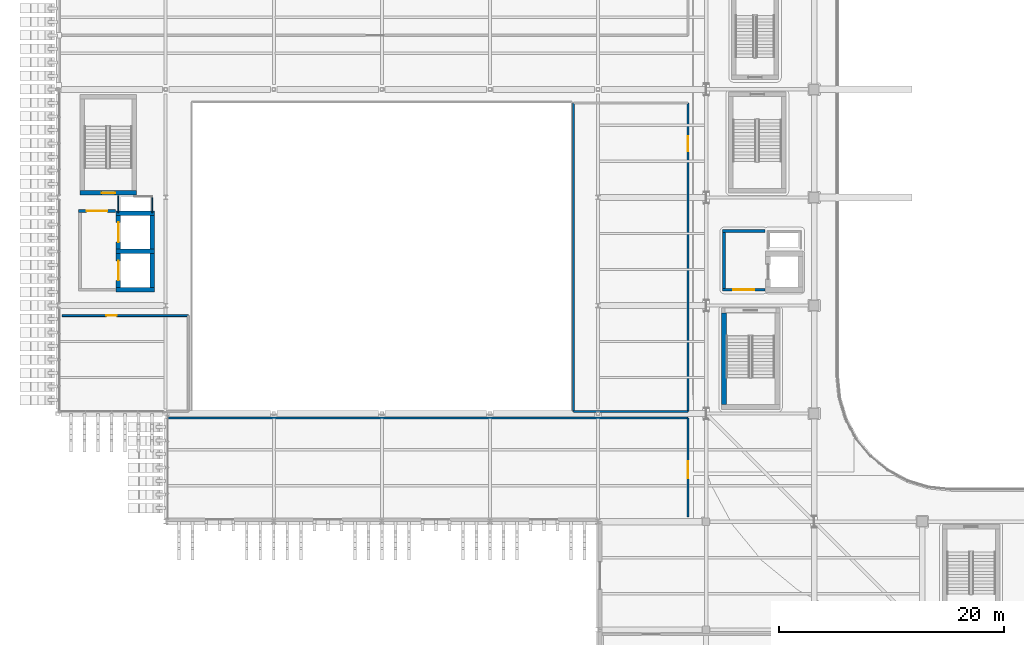
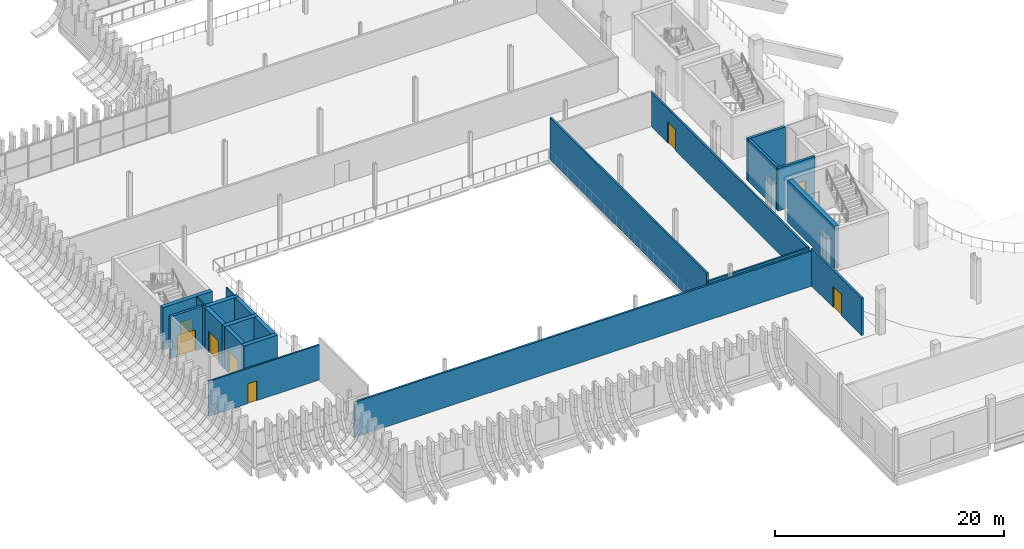
# One storey, part 49 of 100: 21 walls, 8 doors, 8 openings.
"""IFC4 building model written with IfcOpenShell, lengths in metres."""

from ifc_helpers import new_model, si_unit, direction, frame, frame_2d, origin, place, context, subcontext, project, spatial, rectangle, extrude, material, layer, layer_set, type_object, element, fill, save


model = new_model("IFC4")

# Units and contexts
model_context = context("Model", 3, precision=1e-05, world=origin(), true_north=direction((0.0, 1.0)))
body_context = subcontext(model_context, "Body", "Model", "MODEL_VIEW")
ifc_project = project(units=[si_unit("LENGTHUNIT", "METRE"), si_unit("AREAUNIT", "SQUARE_METRE"), si_unit("VOLUMEUNIT", "CUBIC_METRE"), si_unit("PLANEANGLEUNIT", "RADIAN"), si_unit("MASSUNIT", "GRAM", prefix="KILO")], contexts=[model_context])

# Site, building, storey
site_placement = place(None, origin())
site = spatial("IfcSite", under=ifc_project, at=site_placement, CompositionType="ELEMENT")
building_placement = place(site_placement, origin())
building = spatial("IfcBuilding", under=site, at=building_placement, Name="Caelomonte Colonnade Arena", CompositionType="ELEMENT")
storey_placement = place(building_placement, origin())
storey = spatial("IfcBuildingStorey", under=building, at=storey_placement, Name="L00", CompositionType="ELEMENT", Elevation=0.0)

# Wall, opening, door
ifc_material_1 = material(Name="Concrete C40/50", Category="concrete")
ifc_layer_1 = layer(ifc_material_1, 0.260009765625)
ifc_layer_set_1 = layer_set([ifc_layer_1], Name="Concrete C40/50")
wall_type_1 = type_object("IfcWallType", Name="INT-WL-FW26", PredefinedType="SOLIDWALL", material=ifc_layer_set_1)
wall_1_placement = place(storey_placement, frame((59.070068359375, 49.39990234375, 0.0), z_axis=(0.0, 0.0, 1.0), x_axis=(1.0, 0.0, 0.0)))
wall_1 = element("IfcWall", 1, at=wall_1_placement, inside=storey, type_object=wall_type_1, Name="FW-C1-LB L00 south enclosure wall", PredefinedType="SOLIDWALL", context=body_context, shape_type="SweptSolid", body=[
    extrude(rectangle(XDim=3.760009765625, YDim=0.260009765625, at=frame_2d((1.8798828125, 0.0))), origin(), (0.0, 0.0, 1.0), 4.5),
])
opening_1_placement = place(wall_1_placement, frame((2.80517578125, 0.0, 0.0), z_axis=(0.0, 0.0, 1.0), x_axis=(-1.0, 0.0, 0.0)))
opening_1 = element("IfcOpeningElement", 2, at=opening_1_placement, cuts=wall_1, Name="Opening FD-2", PredefinedType="OPENING", context=body_context, shape_type="SweptSolid", body=[
    extrude(rectangle(XDim=1.85009765625, YDim=2.25, at=frame_2d((0.925048828125, 1.125))), frame((0.0, 0.139892578125, 0.0), z_axis=(0.0, -1.0, 0.0), x_axis=(1.0, 0.0, 0.0)), (0.0, 0.0, 1.0), 0.280029296875),
])
ifc_material_2 = material(Name="Fire-rated double steel door", Category="steel")
door_type_1 = type_object("IfcDoorType", Name="INT-DR-FD90B", OperationType="DOUBLE_DOOR_SINGLE_SWING", PredefinedType="DOOR", material=ifc_material_2)
door_1_placement = place(opening_1_placement, origin())
door_1 = element("IfcDoor", 3, at=door_1_placement, inside=storey, type_object=door_type_1, Name="Core C1 L00 lobby fire door", OperationType="DOUBLE_DOOR_SINGLE_SWING", OverallHeight=2.25, OverallWidth=1.85009765625, PredefinedType="DOOR", context=body_context, shape_type="SweptSolid", body=[
    extrude(rectangle(XDim=1.85009765625, YDim=2.25, at=frame_2d((0.925048828125, 1.125))), frame((0.0, 0.02490234375, 0.0), z_axis=(0.0, -1.0, 0.0), x_axis=(1.0, 0.0, 0.0)), (0.0, 0.0, 1.0), 0.050048828125),
])
fill(opening_1, door_1)

# Walls
wall_2_placement = place(storey_placement, frame((62.830078125, 54.60009765625, 0.0), z_axis=(0.0, 0.0, 1.0), x_axis=(-1.0, 0.0, 0.0)))
element("IfcWall", 4, at=wall_2_placement, inside=storey, type_object=wall_type_1, Name="FW-C1-LB L00 north enclosure wall", PredefinedType="SOLIDWALL", context=body_context, shape_type="SweptSolid", body=[
    extrude(rectangle(XDim=3.760009765625, YDim=0.260009765625, at=frame_2d((1.8798828125, 0.0))), origin(), (0.0, 0.0, 1.0), 4.5),
])
wall_3_placement = place(storey_placement, frame((59.199951171875, 54.469970703125, 0.0), z_axis=(0.0, 0.0, 1.0), x_axis=(0.0, -1.0, 0.0)))
element("IfcWall", 5, at=wall_3_placement, inside=storey, type_object=wall_type_1, Name="FW-C1-LB L00 west enclosure wall", PredefinedType="SOLIDWALL", context=body_context, shape_type="SweptSolid", body=[
    extrude(rectangle(XDim=4.93994140625, YDim=0.260009765625, at=frame_2d((2.469970703125, 0.0))), origin(), (0.0, 0.0, 1.0), 4.5),
])

# Wall, opening, door
wall_4_placement = place(storey_placement, frame((5.1298828125, 56.39990234375, 0.0), z_axis=(0.0, 0.0, 1.0), x_axis=(-1.0, 0.0, 0.0)))
wall_4 = element("IfcWall", 6, at=wall_4_placement, inside=storey, type_object=wall_type_1, Name="FW-C8-LB L00 north enclosure wall", PredefinedType="SOLIDWALL", context=body_context, shape_type="SweptSolid", body=[
    extrude(rectangle(XDim=3.259765625, YDim=0.260009765625, at=frame_2d((1.6298828125, 0.0))), origin(), (0.0, 0.0, 1.0), 4.5),
])
opening_2_placement = place(wall_4_placement, frame((2.55517578125, 0.0, 0.0), z_axis=(0.0, 0.0, 1.0), x_axis=(-1.0, 0.0, 0.0)))
opening_2 = element("IfcOpeningElement", 7, at=opening_2_placement, cuts=wall_4, Name="Opening FD-2", PredefinedType="OPENING", context=body_context, shape_type="SweptSolid", body=[
    extrude(rectangle(XDim=1.85009765625, YDim=2.25, at=frame_2d((0.925048828125, 1.125))), frame((0.0, 0.139892578125, 0.0), z_axis=(0.0, -1.0, 0.0), x_axis=(1.0, 0.0, 0.0)), (0.0, 0.0, 1.0), 0.280029296875),
])
door_2_placement = place(opening_2_placement, origin())
door_2 = element("IfcDoor", 8, at=door_2_placement, inside=storey, type_object=door_type_1, Name="Core C8 L00 lobby fire door", OperationType="DOUBLE_DOOR_SINGLE_SWING", OverallHeight=2.25, OverallWidth=1.85009765625, PredefinedType="DOOR", context=body_context, shape_type="SweptSolid", body=[
    extrude(rectangle(XDim=1.85009765625, YDim=2.25, at=frame_2d((0.925048828125, 1.125))), frame((0.0, 0.02490234375, 0.0), z_axis=(0.0, -1.0, 0.0), x_axis=(1.0, 0.0, 0.0)), (0.0, 0.0, 1.0), 0.050048828125),
])
fill(opening_2, door_2)

# Walls
ifc_material_3 = material(Name="Service shaft lining partition")
ifc_layer_2 = layer(ifc_material_3, 0.10009765625)
ifc_layer_set_2 = layer_set([ifc_layer_2], Name="Service shaft lining partition")
wall_type_2 = type_object("IfcWallType", Name="INT-WL-PT10", PredefinedType="PARTITIONING", material=ifc_layer_set_2)
for number, where, z_axis, x_axis, name in (
    (9, (5.39990234375, 57.75, 0.0), (0.0, 0.0, 1.0), (0.0, -1.0, 0.0), "FW-C8-RS L00 west enclosure wall"),
    (10, (8.39990234375, 56.25, 0.0), (0.0, 0.0, 1.0), (0.0, 1.0, 0.0), "FW-C8-RS L00 east enclosure wall"),
):
    element("IfcWall", number, at=place(storey_placement, frame(where, z_axis=z_axis, x_axis=x_axis)), inside=storey, type_object=wall_type_2, Name=name, PredefinedType="PARTITIONING", context=body_context, shape_type="SweptSolid", body=[
        extrude(rectangle(XDim=1.5, YDim=0.10009765625, at=frame_2d((0.75, 0.0))), origin(), (0.0, 0.0, 1.0), 4.5),
    ])

# Wall, opening, door
ifc_material_4 = material(Name="Moisture-resistant WC partition")
ifc_layer_3 = layer(ifc_material_4, 0.159912109375)
ifc_layer_set_3 = layer_set([ifc_layer_3], Name="Moisture-resistant WC partition")
wall_type_3 = type_object("IfcWallType", Name="INT-WL-PT16", PredefinedType="PARTITIONING", material=ifc_layer_set_3)
wall_5_placement = place(storey_placement, frame((0.39990234375, 47.10009765625, 0.0), z_axis=(0.0, 0.0, 1.0), x_axis=(1.0, 0.0, 0.0)))
wall_5 = element("IfcWall", 11, at=wall_5_placement, inside=storey, type_object=wall_type_3, Name="L00 Practice Wing Restroom partition 111", PredefinedType="PARTITIONING", context=body_context, shape_type="SweptSolid", body=[
    extrude(rectangle(XDim=11.2001953125, YDim=0.159912109375, at=frame_2d((5.60009765625, 0.0))), origin(), (0.0, 0.0, 1.0), 3.738037109375),
])
opening_3_placement = place(wall_5_placement, frame((3.93994140625, 0.0, 0.0), z_axis=(0.0, 0.0, 1.0), x_axis=(1.0, 0.0, 0.0)))
opening_3 = element("IfcOpeningElement", 12, at=opening_3_placement, cuts=wall_5, Name="Opening D-L00-036", PredefinedType="OPENING", context=body_context, shape_type="SweptSolid", body=[
    extrude(rectangle(XDim=0.919921875, YDim=2.1201171875, at=frame_2d((0.4599609375, 1.06005859375))), frame((0.0, 0.08984375, 0.0), z_axis=(0.0, -1.0, 0.0), x_axis=(1.0, 0.0, 0.0)), (0.0, 0.0, 1.0), 0.179931640625),
])
ifc_material_5 = material(Name="Laminate restroom entrance door")
door_type_2 = type_object("IfcDoorType", Name="INT-DR-WC1", OperationType="NOTDEFINED", PredefinedType="DOOR", material=ifc_material_5)
door_3_placement = place(opening_3_placement, origin())
door_3 = element("IfcDoor", 13, at=door_3_placement, inside=storey, type_object=door_type_2, Name="L00 Practice Wing Restroom door D-L00-036", OperationType="SINGLE_SWING_RIGHT", OverallHeight=2.1201171875, OverallWidth=0.919921875, PredefinedType="DOOR", context=body_context, shape_type="SweptSolid", body=[
    extrude(rectangle(XDim=0.919921875, YDim=2.1201171875, at=frame_2d((0.4599609375, 1.06005859375))), frame((0.0, 0.02490234375, 0.0), z_axis=(0.0, -1.0, 0.0), x_axis=(1.0, 0.0, 0.0)), (0.0, 0.0, 1.0), 0.050048828125),
])
fill(opening_3, door_3)

ifc_material_6 = material(Name="Acoustic gypsum stud partition")
ifc_layer_4 = layer(ifc_material_6, 0.179931640625)
ifc_layer_set_4 = layer_set([ifc_layer_4], Name="Acoustic gypsum stud partition")
wall_type_4 = type_object("IfcWallType", Name="INT-WL-PT18", PredefinedType="PARTITIONING", material=ifc_layer_set_4)
wall_6_placement = place(storey_placement, frame((56.0, 66.0, 0.0), z_axis=(0.0, 0.0, 1.0), x_axis=(0.0, -1.0, 0.0)))
wall_6 = element("IfcWall", 14, at=wall_6_placement, inside=storey, type_object=wall_type_4, Name="L00 Sports Medicine Clinic partition 107", PredefinedType="PARTITIONING", context=body_context, shape_type="SweptSolid", body=[
    extrude(rectangle(XDim=27.39990234375, YDim=0.179931640625, at=frame_2d((13.699951171875, 0.0))), origin(), (0.0, 0.0, 1.0), 3.664306640625),
])
opening_4_placement = place(wall_6_placement, frame((2.95166015625, 0.0, 0.0), z_axis=(0.0, 0.0, 1.0), x_axis=(1.0, 0.0, 0.0)))
opening_4 = element("IfcOpeningElement", 15, at=opening_4_placement, cuts=wall_6, Name="Opening D-L00-035", PredefinedType="OPENING", context=body_context, shape_type="SweptSolid", body=[
    extrude(rectangle(XDim=1.35009765625, YDim=2.25, at=frame_2d((0.675048828125, 1.125))), frame((0.0, 0.099853515625, 0.0), z_axis=(0.0, -1.0, 0.0), x_axis=(1.0, 0.0, 0.0)), (0.0, 0.0, 1.0), 0.199951171875),
])
ifc_material_7 = material(Name="Wide athlete locker suite door")
door_type_3 = type_object("IfcDoorType", Name="INT-DR-ATH", OperationType="NOTDEFINED", PredefinedType="DOOR", material=ifc_material_7)
door_4_placement = place(opening_4_placement, origin())
door_4 = element("IfcDoor", 16, at=door_4_placement, inside=storey, type_object=door_type_3, Name="L00 Sports Medicine Clinic door D-L00-035", OperationType="SINGLE_SWING_LEFT", OverallHeight=2.25, OverallWidth=1.35009765625, PredefinedType="DOOR", context=body_context, shape_type="SweptSolid", body=[
    extrude(rectangle(XDim=1.35009765625, YDim=2.25, at=frame_2d((0.675048828125, 1.125))), frame((0.0, 0.02490234375, 0.0), z_axis=(0.0, -1.0, 0.0), x_axis=(1.0, 0.0, 0.0)), (0.0, 0.0, 1.0), 0.050048828125),
])
fill(opening_4, door_4)

# Walls
wall_7_placement = place(storey_placement, frame((56.0, 38.60009765625, 0.0), z_axis=(0.0, 0.0, 1.0), x_axis=(-1.0, 0.0, 0.0)))
element("IfcWall", 17, at=wall_7_placement, inside=storey, type_object=wall_type_4, Name="L00 Sports Medicine Clinic partition 108", PredefinedType="PARTITIONING", context=body_context, shape_type="SweptSolid", body=[
    extrude(rectangle(XDim=10.179931640625, YDim=0.179931640625, at=frame_2d((5.08984375, 0.0))), origin(), (0.0, 0.0, 1.0), 3.664306640625),
])
wall_8_placement = place(storey_placement, frame((45.820068359375, 38.60009765625, 0.0), z_axis=(0.0, 0.0, 1.0), x_axis=(0.0, 1.0, 0.0)))
element("IfcWall", 18, at=wall_8_placement, inside=storey, type_object=wall_type_4, Name="L00 Sports Medicine Clinic partition 109", PredefinedType="PARTITIONING", context=body_context, shape_type="SweptSolid", body=[
    extrude(rectangle(XDim=27.39990234375, YDim=0.179931640625, at=frame_2d((13.699951171875, 0.0))), origin(), (0.0, 0.0, 1.0), 4.5),
])

# Wall, opening, door
ifc_material_8 = material(Name="Fire-rated gypsum stud partition")
ifc_layer_5 = layer(ifc_material_8, 0.199951171875)
ifc_layer_set_5 = layer_set([ifc_layer_5], Name="Fire-rated gypsum stud partition")
wall_type_5 = type_object("IfcWallType", Name="INT-WL-PT20", PredefinedType="PARTITIONING", material=ifc_layer_set_5)
wall_9_placement = place(storey_placement, frame((56.0, 38.0, 0.0), z_axis=(0.0, 0.0, 1.0), x_axis=(0.0, -1.0, 0.0)))
wall_9 = element("IfcWall", 19, at=wall_9_placement, inside=storey, type_object=wall_type_5, Name="L00 Athlete Lounge partition 105", PredefinedType="PARTITIONING", context=body_context, shape_type="SweptSolid", body=[
    extrude(rectangle(XDim=8.800048828125, YDim=0.199951171875, at=frame_2d((4.39990234375, 0.0))), origin(), (0.0, 0.0, 1.0), 3.9716796875),
])
opening_5_placement = place(wall_9_placement, frame((3.841552734375, 0.0, 0.0), z_axis=(0.0, 0.0, 1.0), x_axis=(1.0, 0.0, 0.0)))
opening_5 = element("IfcOpeningElement", 20, at=opening_5_placement, cuts=wall_9, Name="Opening D-L00-034", PredefinedType="OPENING", context=body_context, shape_type="SweptSolid", body=[
    extrude(rectangle(XDim=1.5, YDim=2.25, at=frame_2d((0.75, 1.125))), frame((0.0, 0.10986328125, 0.0), z_axis=(0.0, -1.0, 0.0), x_axis=(1.0, 0.0, 0.0)), (0.0, 0.0, 1.0), 0.219970703125),
])
ifc_material_9 = material(Name="Hardwood double club lounge door", Category="wood")
door_type_4 = type_object("IfcDoorType", Name="INT-DR-SU2", OperationType="DOUBLE_DOOR_SINGLE_SWING", PredefinedType="DOOR", material=ifc_material_9)
door_5_placement = place(opening_5_placement, origin())
door_5 = element("IfcDoor", 21, at=door_5_placement, inside=storey, type_object=door_type_4, Name="L00 Athlete Lounge door D-L00-034", OperationType="DOUBLE_DOOR_SINGLE_SWING", OverallHeight=2.25, OverallWidth=1.5, PredefinedType="DOOR", context=body_context, shape_type="SweptSolid", body=[
    extrude(rectangle(XDim=1.5, YDim=2.25, at=frame_2d((0.75, 1.125))), frame((0.0, 0.02490234375, 0.0), z_axis=(0.0, -1.0, 0.0), x_axis=(1.0, 0.0, 0.0)), (0.0, 0.0, 1.0), 0.050048828125),
])
fill(opening_5, door_5)

# Wall
wall_10_placement = place(storey_placement, frame((9.820068359375, 38.0, 0.0), z_axis=(0.0, 0.0, 1.0), x_axis=(1.0, 0.0, 0.0)))
element("IfcWall", 22, at=wall_10_placement, inside=storey, type_object=wall_type_5, Name="L00 Athlete Lounge partition 106", PredefinedType="PARTITIONING", context=body_context, shape_type="SweptSolid", body=[
    extrude(rectangle(XDim=46.179931640625, YDim=0.199951171875, at=frame_2d((23.08984375, 0.0))), origin(), (0.0, 0.0, 1.0), 3.738037109375),
])

# Wall, opening, door
ifc_material_10 = material(Name="Concrete C50/60", Category="concrete")
ifc_layer_6 = layer(ifc_material_10, 0.39990234375)
ifc_layer_set_6 = layer_set([ifc_layer_6], Name="Concrete C50/60")
wall_type_6 = type_object("IfcWallType", Name="INT-WL-SH40", PredefinedType="SHEAR", material=ifc_layer_set_6)
wall_11_placement = place(storey_placement, frame((2.0, 58.0, 0.0), z_axis=(0.0, 0.0, 1.0), x_axis=(1.0, 0.0, 0.0)))
wall_11 = element("IfcWall", 23, at=wall_11_placement, inside=storey, type_object=wall_type_6, Name="CW-C8-ST L00 south enclosure wall", PredefinedType="SHEAR", context=body_context, shape_type="SweptSolid", body=[
    extrude(rectangle(XDim=5.0, YDim=0.39990234375, at=frame_2d((2.5, 0.0))), origin(), (0.0, 0.0, 1.0), 4.5),
])
opening_6_placement = place(wall_11_placement, frame((3.099853515625, 0.0, 0.0), z_axis=(0.0, 0.0, 1.0), x_axis=(-1.0, 0.0, 0.0)))
opening_6 = element("IfcOpeningElement", 24, at=opening_6_placement, cuts=wall_11, Name="Opening FD-1", PredefinedType="OPENING", context=body_context, shape_type="SweptSolid", body=[
    extrude(rectangle(XDim=1.199951171875, YDim=2.199951171875, at=frame_2d((0.60009765625, 1.10009765625))), frame((0.0, 0.2099609375, 0.0), z_axis=(0.0, -1.0, 0.0), x_axis=(1.0, 0.0, 0.0)), (0.0, 0.0, 1.0), 0.419921875),
])
ifc_material_11 = material(Name="Fire-rated steel door", Category="steel")
door_type_5 = type_object("IfcDoorType", Name="INT-DR-FD90A", OperationType="NOTDEFINED", PredefinedType="DOOR", material=ifc_material_11)
door_6_placement = place(opening_6_placement, origin())
door_6 = element("IfcDoor", 25, at=door_6_placement, inside=storey, type_object=door_type_5, Name="Core C8 L00 exit stair fire door", OperationType="SINGLE_SWING_LEFT", OverallHeight=2.199951171875, OverallWidth=1.199951171875, PredefinedType="DOOR", context=body_context, shape_type="SweptSolid", body=[
    extrude(rectangle(XDim=1.199951171875, YDim=2.199951171875, at=frame_2d((0.60009765625, 1.10009765625))), frame((0.0, 0.02490234375, 0.0), z_axis=(0.0, -1.0, 0.0), x_axis=(1.0, 0.0, 0.0)), (0.0, 0.0, 1.0), 0.050048828125),
])
fill(opening_6, door_6)

# Walls
for number, where, z_axis, x_axis, name in (
    (26, (5.199951171875, 49.39990234375, 0.0), (0.0, 0.0, 1.0), (1.0, 0.0, 0.0), "CW-C8-LF L00 south enclosure wall"),
    (27, (8.60009765625, 52.800048828125, 0.0), (0.0, 0.0, 1.0), (-1.0, 0.0, 0.0), "CW-C8-LF L00 north enclosure wall"),
):
    element("IfcWall", number, at=place(storey_placement, frame(where, z_axis=z_axis, x_axis=x_axis)), inside=storey, type_object=wall_type_6, Name=name, PredefinedType="SHEAR", context=body_context, shape_type="SweptSolid", body=[
        extrude(rectangle(XDim=3.400146484375, YDim=0.39990234375, at=frame_2d((1.7001953125, 0.0))), origin(), (0.0, 0.0, 1.0), 4.5),
    ])

# Wall, opening, door
wall_12_placement = place(storey_placement, frame((5.39990234375, 52.60009765625, 0.0), z_axis=(0.0, 0.0, 1.0), x_axis=(0.0, -1.0, 0.0)))
wall_12 = element("IfcWall", 28, at=wall_12_placement, inside=storey, type_object=wall_type_6, Name="CW-C8-LF L00 west enclosure wall", PredefinedType="SHEAR", context=body_context, shape_type="SweptSolid", body=[
    extrude(rectangle(XDim=3.0, YDim=0.39990234375, at=frame_2d((1.5, 0.0))), origin(), (0.0, 0.0, 1.0), 4.5),
])
opening_7_placement = place(wall_12_placement, frame((0.625, 0.0, 0.0), z_axis=(0.0, 0.0, 1.0), x_axis=(1.0, 0.0, 0.0)))
opening_7 = element("IfcOpeningElement", 29, at=opening_7_placement, cuts=wall_12, Name="Opening LD-LF-07-L00", PredefinedType="OPENING", context=body_context, shape_type="SweptSolid", body=[
    extrude(rectangle(XDim=1.75, YDim=2.35009765625, at=frame_2d((0.875, 1.175048828125))), frame((0.0, 0.2099609375, 0.0), z_axis=(0.0, -1.0, 0.0), x_axis=(1.0, 0.0, 0.0)), (0.0, 0.0, 1.0), 0.419921875),
])
ifc_material_12 = material(Name="Goods lift sliding landing door")
door_type_6 = type_object("IfcDoorType", Name="INT-DR-LD3", OperationType="SLIDING_TO_LEFT", PredefinedType="DOOR", material=ifc_material_12)
door_7_placement = place(opening_7_placement, origin())
door_7 = element("IfcDoor", 30, at=door_7_placement, inside=storey, type_object=door_type_6, Name="Lift LF-07 L00 sliding landing door", OperationType="SLIDING_TO_LEFT", OverallHeight=2.35009765625, OverallWidth=1.75, PredefinedType="DOOR", context=body_context, shape_type="SweptSolid", body=[
    extrude(rectangle(XDim=1.75, YDim=2.35009765625, at=frame_2d((0.875, 1.175048828125))), frame((0.0, 0.02490234375, 0.0), z_axis=(0.0, -1.0, 0.0), x_axis=(1.0, 0.0, 0.0)), (0.0, 0.0, 1.0), 0.050048828125),
])
fill(opening_7, door_7)

# Walls
wall_13_placement = place(storey_placement, frame((8.39990234375, 49.60009765625, 0.0), z_axis=(0.0, 0.0, 1.0), x_axis=(0.0, 1.0, 0.0)))
element("IfcWall", 31, at=wall_13_placement, inside=storey, type_object=wall_type_6, Name="CW-C8-LF L00 east enclosure wall", PredefinedType="SHEAR", context=body_context, shape_type="SweptSolid", body=[
    extrude(rectangle(XDim=3.0, YDim=0.39990234375, at=frame_2d((1.5, 0.0))), origin(), (0.0, 0.0, 1.0), 4.5),
])
wall_14_placement = place(storey_placement, frame((8.60009765625, 56.199951171875, 0.0), z_axis=(0.0, 0.0, 1.0), x_axis=(-1.0, 0.0, 0.0)))
element("IfcWall", 32, at=wall_14_placement, inside=storey, type_object=wall_type_6, Name="CW-C8-LF2 L00 north enclosure wall", PredefinedType="SHEAR", context=body_context, shape_type="SweptSolid", body=[
    extrude(rectangle(XDim=3.400146484375, YDim=0.39990234375, at=frame_2d((1.7001953125, 0.0))), origin(), (0.0, 0.0, 1.0), 4.5),
])

# Wall, opening, door
wall_15_placement = place(storey_placement, frame((5.39990234375, 56.0, 0.0), z_axis=(0.0, 0.0, 1.0), x_axis=(0.0, -1.0, 0.0)))
wall_15 = element("IfcWall", 33, at=wall_15_placement, inside=storey, type_object=wall_type_6, Name="CW-C8-LF2 L00 west enclosure wall", PredefinedType="SHEAR", context=body_context, shape_type="SweptSolid", body=[
    extrude(rectangle(XDim=3.0, YDim=0.39990234375, at=frame_2d((1.5, 0.0))), origin(), (0.0, 0.0, 1.0), 4.5),
])
opening_8_placement = place(wall_15_placement, frame((0.625, 0.0, 0.0), z_axis=(0.0, 0.0, 1.0), x_axis=(1.0, 0.0, 0.0)))
opening_8 = element("IfcOpeningElement", 34, at=opening_8_placement, cuts=wall_15, Name="Opening LD-LF-08-L00", PredefinedType="OPENING", context=body_context, shape_type="SweptSolid", body=[
    extrude(rectangle(XDim=1.75, YDim=2.35009765625, at=frame_2d((0.875, 1.175048828125))), frame((0.0, 0.2099609375, 0.0), z_axis=(0.0, -1.0, 0.0), x_axis=(1.0, 0.0, 0.0)), (0.0, 0.0, 1.0), 0.419921875),
])
door_8_placement = place(opening_8_placement, origin())
door_8 = element("IfcDoor", 35, at=door_8_placement, inside=storey, type_object=door_type_6, Name="Lift LF-08 L00 sliding landing door", OperationType="SLIDING_TO_LEFT", OverallHeight=2.35009765625, OverallWidth=1.75, PredefinedType="DOOR", context=body_context, shape_type="SweptSolid", body=[
    extrude(rectangle(XDim=1.75, YDim=2.35009765625, at=frame_2d((0.875, 1.175048828125))), frame((0.0, 0.02490234375, 0.0), z_axis=(0.0, -1.0, 0.0), x_axis=(1.0, 0.0, 0.0)), (0.0, 0.0, 1.0), 0.050048828125),
])
fill(opening_8, door_8)

# Walls
wall_16_placement = place(storey_placement, frame((8.39990234375, 53.0, 0.0), z_axis=(0.0, 0.0, 1.0), x_axis=(0.0, 1.0, 0.0)))
element("IfcWall", 36, at=wall_16_placement, inside=storey, type_object=wall_type_6, Name="CW-C8-LF2 L00 east enclosure wall", PredefinedType="SHEAR", context=body_context, shape_type="SweptSolid", body=[
    extrude(rectangle(XDim=3.0, YDim=0.39990234375, at=frame_2d((1.5, 0.0))), origin(), (0.0, 0.0, 1.0), 4.5),
])
ifc_layer_7 = layer(ifc_material_10, 0.449951171875)
ifc_layer_set_7 = layer_set([ifc_layer_7], Name="Concrete C50/60")
wall_type_7 = type_object("IfcWallType", Name="INT-WL-SH45", PredefinedType="SHEAR", material=ifc_layer_set_7)
wall_17_placement = place(storey_placement, frame((59.175048828125, 47.35009765625, 0.0), z_axis=(0.0, 0.0, 1.0), x_axis=(0.0, -1.0, 0.0)))
element("IfcWall", 37, at=wall_17_placement, inside=storey, type_object=wall_type_7, Name="CW-C1-ST L00 west enclosure wall", PredefinedType="SHEAR", context=body_context, shape_type="SweptSolid", body=[
    extrude(rectangle(XDim=8.150146484375, YDim=0.449951171875, at=frame_2d((4.0751953125, 0.0))), origin(), (0.0, 0.0, 1.0), 4.5),
])

save(model, "model.ifc")
